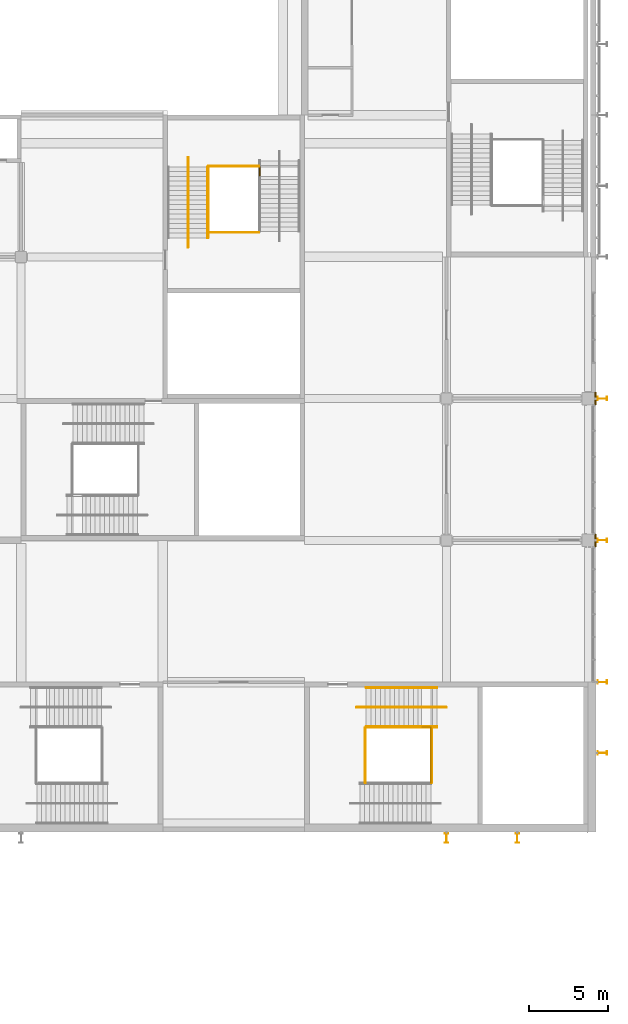
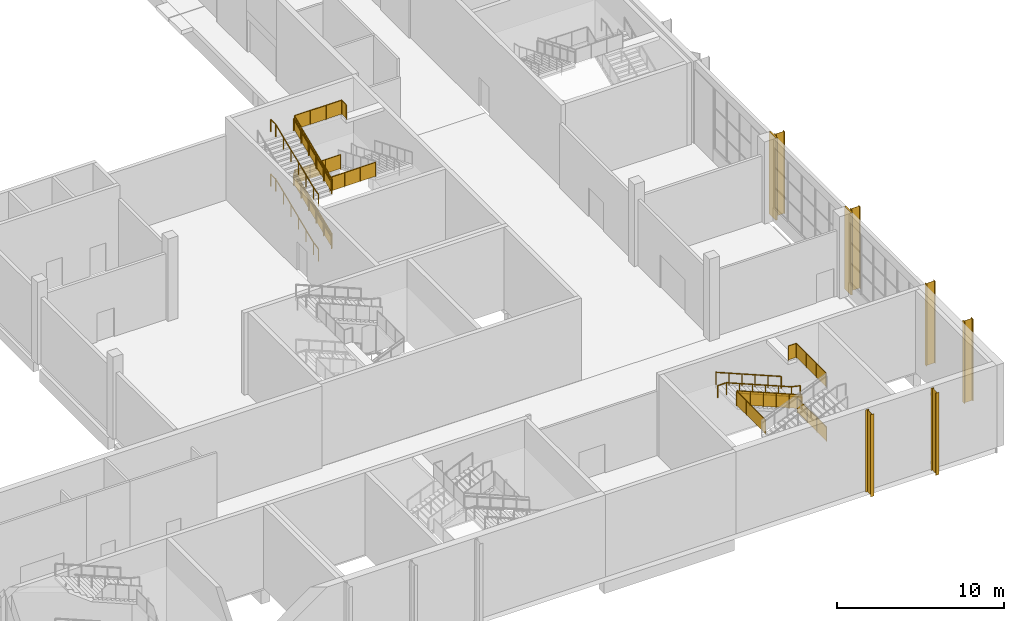
# One storey, part 80 of 89: 16 railings, 6 shading devices, 2 coverings.
"""IFC4 building model written with IfcOpenShell, lengths in metres."""

from ifc_helpers import new_model, si_unit, direction, frame, origin, origin_2d, place, context, subcontext, project, spatial, polyline, circle, i_section, outline, extrude, material, layer, layer_set, material_profile, profile_set, type_object, element, save


model = new_model("IFC4")

# Units and contexts
model_context = context("Model", 3, precision=1e-05, world=origin(), true_north=direction((0.0, 1.0)))
body_context = subcontext(model_context, "Body", "Model", "MODEL_VIEW")
ifc_project = project(units=[si_unit("LENGTHUNIT", "METRE"), si_unit("AREAUNIT", "SQUARE_METRE"), si_unit("VOLUMEUNIT", "CUBIC_METRE"), si_unit("PLANEANGLEUNIT", "RADIAN"), si_unit("MASSUNIT", "GRAM", prefix="KILO")], contexts=[model_context])

# Site, building, storey
site_placement = place(None, origin())
site = spatial("IfcSite", under=ifc_project, at=site_placement, CompositionType="ELEMENT")
building_placement = place(site_placement, origin())
building = spatial("IfcBuilding", under=site, at=building_placement, Name="Silverbay Arena", CompositionType="ELEMENT")
storey_placement = place(building_placement, frame((0.0, 0.0, 22.0)))
storey = spatial("IfcBuildingStorey", under=building, at=storey_placement, Name="L03", CompositionType="ELEMENT", Elevation=22.0)

# Coverings
ifc_material_1 = material(Name="Aluminium composite cladding", Category="aluminium")
ifc_layer = layer(ifc_material_1, 0.10009765625)
ifc_layer_set = layer_set([ifc_layer], Name="Aluminium composite cladding")
covering_type = type_object("IfcCoveringType", Name="Column cladding 100", PredefinedType="CLADDING", material=ifc_layer_set)
covering_1_placement = place(storey_placement, origin())
element("IfcCovering", 1, at=covering_1_placement, inside=storey, type_object=covering_type, Name="East column cladding L03 6", PredefinedType="CLADDING", context=body_context, shape_type="SweptSolid", body=[
    extrude(outline(polyline([(207.39990234375, 35.60009765625), (207.5, 35.60009765625), (207.5, 36.39990234375), (207.39990234375, 36.39990234375), (207.39990234375, 35.60009765625)])), origin(), (0.0, 0.0, 1.0), 6.0),
])
covering_2_placement = place(storey_placement, origin())
element("IfcCovering", 2, at=covering_2_placement, inside=storey, type_object=covering_type, Name="East column cladding L03 8", PredefinedType="CLADDING", context=body_context, shape_type="SweptSolid", body=[
    extrude(outline(polyline([(207.39990234375, 44.60009765625), (207.5, 44.60009765625), (207.5, 45.39990234375), (207.39990234375, 45.39990234375), (207.39990234375, 44.60009765625)])), origin(), (0.0, 0.0, 1.0), 6.0),
])

# Railings
ifc_material_2 = material(Name="Stainless steel", Category="steel")
railing_type_1 = type_object("IfcRailingType", Name="Stair guard 1100", PredefinedType="GUARDRAIL", material=ifc_material_2)
railing_1_placement = place(storey_placement, frame((197.39990234375, 24.125, 2.125)))
element("IfcRailing", 3, at=railing_1_placement, inside=storey, type_object=railing_type_1, Name="Stair ST-S6 L03 to L04 flight 2 guard right", PredefinedType="GUARDRAIL", context=body_context, shape_type="SweptSolid", body=[
    extrude(circle(Radius=0.02392578125, at=origin_2d()), frame((0.0, 0.0, 1.076171875), z_axis=(-0.923076923077, 0.0, 0.384615384615), x_axis=(0.0, -1.0, 0.0)), (0.0, 0.0, 1.0), 4.875),
    extrude(outline(polyline([(-0.008056640625, 0.046630859375), (0.907958984375, 0.42822265625), (0.907958984375, 1.431396484375), (-0.008056640625, 1.049560546875), (-0.008056640625, 0.046630859375)])), frame((0.0, -0.0029296875, 0.0), z_axis=(0.0, 1.0, 0.0), x_axis=(-1.0, 0.0, 0.0)), (0.0, 0.0, 1.0), 0.006103515625),
    extrude(outline(polyline([(-0.008056640625, 0.421630859375), (0.907958984375, 0.80322265625), (0.907958984375, 1.806396484375), (-0.008056640625, 1.424560546875), (-0.008056640625, 0.421630859375)])), frame((-0.89990234375, -0.0029296875, 0.0), z_axis=(0.0, 1.0, 0.0), x_axis=(-1.0, 0.0, 0.0)), (0.0, 0.0, 1.0), 0.006103515625),
    extrude(outline(polyline([(-0.008056640625, 0.796630859375), (0.907958984375, 1.17822265625), (0.907958984375, 2.181396484375), (-0.008056640625, 1.799560546875), (-0.008056640625, 0.796630859375)])), frame((-1.800048828125, -0.0029296875, 0.0), z_axis=(0.0, 1.0, 0.0), x_axis=(-1.0, 0.0, 0.0)), (0.0, 0.0, 1.0), 0.006103515625),
    extrude(outline(polyline([(-0.008056640625, 1.171630859375), (0.907958984375, 1.55322265625), (0.907958984375, 2.556396484375), (-0.008056640625, 2.174560546875), (-0.008056640625, 1.171630859375)])), frame((-2.699951171875, -0.0029296875, 0.0), z_axis=(0.0, 1.0, 0.0), x_axis=(-1.0, 0.0, 0.0)), (0.0, 0.0, 1.0), 0.006103515625),
    extrude(outline(polyline([(-0.008056640625, 1.546630859375), (0.907958984375, 1.92822265625), (0.907958984375, 2.931396484375), (-0.008056640625, 2.549560546875), (-0.008056640625, 1.546630859375)])), frame((-3.60009765625, -0.0029296875, 0.0), z_axis=(0.0, 1.0, 0.0), x_axis=(-1.0, 0.0, 0.0)), (0.0, 0.0, 1.0), 0.006103515625),
    extrude(circle(Radius=0.02099609375, at=origin_2d()), origin(), (0.0, 0.0, 1.0), 1.052001953125),
    extrude(circle(Radius=0.02099609375, at=origin_2d()), frame((-0.89990234375, 0.0, 0.375)), (0.0, 0.0, 1.0), 1.052001953125),
    extrude(circle(Radius=0.02099609375, at=origin_2d()), frame((-1.800048828125, 0.0, 0.75)), (0.0, 0.0, 1.0), 1.052001953125),
    extrude(circle(Radius=0.02099609375, at=origin_2d()), frame((-2.699951171875, 0.0, 1.125)), (0.0, 0.0, 1.0), 1.052001953125),
    extrude(circle(Radius=0.02099609375, at=origin_2d()), frame((-3.60009765625, 0.0, 1.5)), (0.0, 0.0, 1.0), 1.052001953125),
    extrude(circle(Radius=0.02099609375, at=origin_2d()), frame((-4.5, 0.0, 1.875)), (0.0, 0.0, 1.0), 1.052001953125),
])
for number, where, name in (
    (4, (197.06005859375, 24.10009765625, 2.0), "Stair ST-S6 L03 to L04 landing 1 guard"),
    (5, (192.85009765625, 24.10009765625, 4.0), "Stair ST-S6 L03 to L04 landing 2 guard"),
):
    element("IfcRailing", number, at=place(storey_placement, frame(where)), inside=storey, type_object=railing_type_1, Name=name, PredefinedType="GUARDRAIL", context=body_context, shape_type="SweptSolid", body=[
        extrude(circle(Radius=0.02392578125, at=origin_2d()), frame((0.0, 0.0, 1.076171875), z_axis=(0.0, -1.0, 0.0), x_axis=(1.0, 0.0, 0.0)), (0.0, 0.0, 1.0), 3.5),
        extrude(outline(polyline([(-0.008056640625, 0.050048828125), (1.174560546875, 0.050048828125), (1.174560546875, 1.052978515625), (-0.008056640625, 1.052978515625), (-0.008056640625, 0.050048828125)])), frame((0.0029296875, 0.0, 0.0), z_axis=(-1.0, 0.0, 0.0), x_axis=(0.0, -1.0, 0.0)), (0.0, 0.0, 1.0), 0.006103515625),
        extrude(outline(polyline([(-0.008056640625, 0.050048828125), (1.174560546875, 0.050048828125), (1.174560546875, 1.052978515625), (-0.008056640625, 1.052978515625), (-0.008056640625, 0.050048828125)])), frame((0.0029296875, -1.166748046875, 0.0), z_axis=(-1.0, 0.0, 0.0), x_axis=(0.0, -1.0, 0.0)), (0.0, 0.0, 1.0), 0.006103515625),
        extrude(outline(polyline([(-0.008056640625, 0.050048828125), (1.174560546875, 0.050048828125), (1.174560546875, 1.052978515625), (-0.008056640625, 1.052978515625), (-0.008056640625, 0.050048828125)])), frame((0.0029296875, -2.333251953125, 0.0), z_axis=(-1.0, 0.0, 0.0), x_axis=(0.0, -1.0, 0.0)), (0.0, 0.0, 1.0), 0.006103515625),
        extrude(circle(Radius=0.02099609375, at=origin_2d()), origin(), (0.0, 0.0, 1.0), 1.052001953125),
        extrude(circle(Radius=0.02099609375, at=origin_2d()), frame((0.0, -1.166748046875, 0.0)), (0.0, 0.0, 1.0), 1.052001953125),
        extrude(circle(Radius=0.02099609375, at=origin_2d()), frame((0.0, -2.333251953125, 0.0)), (0.0, 0.0, 1.0), 1.052001953125),
        extrude(circle(Radius=0.02099609375, at=origin_2d()), frame((0.0, -3.5, 0.0)), (0.0, 0.0, 1.0), 1.052001953125),
    ])
railing_2_placement = place(storey_placement, frame((196.449951171875, 24.14990234375, 6.0)))
element("IfcRailing", 6, at=railing_2_placement, inside=storey, type_object=railing_type_1, Name="Stair ST-S6 L03 to L04 landing 3 guard", PredefinedType="GUARDRAIL", context=body_context, shape_type="SweptSolid", body=[
    extrude(circle(Radius=0.02392578125, at=origin_2d()), frame((0.0, 0.0, 1.076171875), z_axis=(1.0, 0.0, 0.0), x_axis=(0.0, 1.0, 0.0)), (0.0, 0.0, 1.0), 0.56005859375),
    extrude(outline(polyline([(-0.008056640625, 0.050048828125), (0.568115234375, 0.050048828125), (0.568115234375, 1.052978515625), (-0.008056640625, 1.052978515625), (-0.008056640625, 0.050048828125)])), frame((0.0, 0.0029296875, 0.0), z_axis=(0.0, -1.0, 0.0), x_axis=(1.0, 0.0, 0.0)), (0.0, 0.0, 1.0), 0.006103515625),
    extrude(circle(Radius=0.02392578125, at=origin_2d()), frame((0.56005859375, 0.0, 1.076171875), z_axis=(0.0, -1.0, 0.0), x_axis=(1.0, 0.0, 0.0)), (0.0, 0.0, 1.0), 3.5498046875),
    extrude(outline(polyline([(-0.008056640625, 0.050048828125), (1.191162109375, 0.050048828125), (1.191162109375, 1.052978515625), (-0.008056640625, 1.052978515625), (-0.008056640625, 0.050048828125)])), frame((0.56298828125, 0.0, 0.0), z_axis=(-1.0, 0.0, 0.0), x_axis=(0.0, -1.0, 0.0)), (0.0, 0.0, 1.0), 0.006103515625),
    extrude(outline(polyline([(-0.008056640625, 0.050048828125), (1.191162109375, 0.050048828125), (1.191162109375, 1.052978515625), (-0.008056640625, 1.052978515625), (-0.008056640625, 0.050048828125)])), frame((0.56298828125, -1.183349609375, 0.0), z_axis=(-1.0, 0.0, 0.0), x_axis=(0.0, -1.0, 0.0)), (0.0, 0.0, 1.0), 0.006103515625),
    extrude(outline(polyline([(-0.008056640625, 0.050048828125), (1.191162109375, 0.050048828125), (1.191162109375, 1.052978515625), (-0.008056640625, 1.052978515625), (-0.008056640625, 0.050048828125)])), frame((0.56298828125, -2.366455078125, 0.0), z_axis=(-1.0, 0.0, 0.0), x_axis=(0.0, -1.0, 0.0)), (0.0, 0.0, 1.0), 0.006103515625),
    extrude(circle(Radius=0.02099609375, at=origin_2d()), origin(), (0.0, 0.0, 1.0), 1.052001953125),
    extrude(circle(Radius=0.02099609375, at=origin_2d()), frame((0.56005859375, 0.0, 0.0)), (0.0, 0.0, 1.0), 1.052001953125),
    extrude(circle(Radius=0.02099609375, at=origin_2d()), frame((0.56005859375, -1.183349609375, 0.0)), (0.0, 0.0, 1.0), 1.052001953125),
    extrude(circle(Radius=0.02099609375, at=origin_2d()), frame((0.56005859375, -2.366455078125, 0.0)), (0.0, 0.0, 1.0), 1.052001953125),
    extrude(circle(Radius=0.02099609375, at=origin_2d()), frame((0.56005859375, -3.5498046875, 0.0)), (0.0, 0.0, 1.0), 1.052001953125),
])
railing_3_placement = place(storey_placement, frame((182.875, 55.2099609375, 0.125)))
element("IfcRailing", 7, at=railing_3_placement, inside=storey, type_object=railing_type_1, Name="Stair ST-SE2 L03 to L04 flight 1 guard right", PredefinedType="GUARDRAIL", context=body_context, shape_type="SweptSolid", body=[
    extrude(circle(Radius=0.02392578125, at=origin_2d()), frame((0.0, 0.0, 1.076171875), z_axis=(0.0, 0.923076923077, 0.384615384615), x_axis=(-1.0, 0.0, 0.0)), (0.0, 0.0, 1.0), 4.875),
    extrude(outline(polyline([(-0.008056640625, 0.046630859375), (0.907958984375, 0.42822265625), (0.907958984375, 1.431396484375), (-0.008056640625, 1.049560546875), (-0.008056640625, 0.046630859375)])), frame((-0.0029296875, 0.0, 0.0), z_axis=(1.0, 0.0, 0.0), x_axis=(0.0, 1.0, 0.0)), (0.0, 0.0, 1.0), 0.006103515625),
    extrude(outline(polyline([(-0.008056640625, 0.421630859375), (0.907958984375, 0.80322265625), (0.907958984375, 1.806396484375), (-0.008056640625, 1.424560546875), (-0.008056640625, 0.421630859375)])), frame((-0.0029296875, 0.89990234375, 0.0), z_axis=(1.0, 0.0, 0.0), x_axis=(0.0, 1.0, 0.0)), (0.0, 0.0, 1.0), 0.006103515625),
    extrude(outline(polyline([(-0.008056640625, 0.796630859375), (0.907958984375, 1.17822265625), (0.907958984375, 2.181396484375), (-0.008056640625, 1.799560546875), (-0.008056640625, 0.796630859375)])), frame((-0.0029296875, 1.800048828125, 0.0), z_axis=(1.0, 0.0, 0.0), x_axis=(0.0, 1.0, 0.0)), (0.0, 0.0, 1.0), 0.006103515625),
    extrude(outline(polyline([(-0.008056640625, 1.171630859375), (0.907958984375, 1.55322265625), (0.907958984375, 2.556396484375), (-0.008056640625, 2.174560546875), (-0.008056640625, 1.171630859375)])), frame((-0.0029296875, 2.699951171875, 0.0), z_axis=(1.0, 0.0, 0.0), x_axis=(0.0, 1.0, 0.0)), (0.0, 0.0, 1.0), 0.006103515625),
    extrude(outline(polyline([(-0.008056640625, 1.546630859375), (0.907958984375, 1.92822265625), (0.907958984375, 2.931396484375), (-0.008056640625, 2.549560546875), (-0.008056640625, 1.546630859375)])), frame((-0.0029296875, 3.60009765625, 0.0), z_axis=(1.0, 0.0, 0.0), x_axis=(0.0, 1.0, 0.0)), (0.0, 0.0, 1.0), 0.006103515625),
    extrude(circle(Radius=0.02099609375, at=origin_2d()), origin(), (0.0, 0.0, 1.0), 1.052001953125),
    extrude(circle(Radius=0.02099609375, at=origin_2d()), frame((0.0, 0.89990234375, 0.375)), (0.0, 0.0, 1.0), 1.052001953125),
    extrude(circle(Radius=0.02099609375, at=origin_2d()), frame((0.0, 1.800048828125, 0.75)), (0.0, 0.0, 1.0), 1.052001953125),
    extrude(circle(Radius=0.02099609375, at=origin_2d()), frame((0.0, 2.699951171875, 1.125)), (0.0, 0.0, 1.0), 1.052001953125),
    extrude(circle(Radius=0.02099609375, at=origin_2d()), frame((0.0, 3.60009765625, 1.5)), (0.0, 0.0, 1.0), 1.052001953125),
    extrude(circle(Radius=0.02099609375, at=origin_2d()), frame((0.0, 4.5, 1.875)), (0.0, 0.0, 1.0), 1.052001953125),
])
railing_4_placement = place(storey_placement, frame((182.875, 55.2099609375, 4.125)))
element("IfcRailing", 8, at=railing_4_placement, inside=storey, type_object=railing_type_1, Name="Stair ST-SE2 L03 to L04 flight 3 guard right", PredefinedType="GUARDRAIL", context=body_context, shape_type="SweptSolid", body=[
    extrude(circle(Radius=0.02392578125, at=origin_2d()), frame((0.0, 0.0, 1.076171875), z_axis=(0.0, 0.923076923077, 0.384615384615), x_axis=(-1.0, 0.0, 0.0)), (0.0, 0.0, 1.0), 4.875),
    extrude(outline(polyline([(-0.008056640625, 0.046630859375), (0.907958984375, 0.42822265625), (0.907958984375, 1.431396484375), (-0.008056640625, 1.049560546875), (-0.008056640625, 0.046630859375)])), frame((-0.0029296875, 0.0, 0.0), z_axis=(1.0, 0.0, 0.0), x_axis=(0.0, 1.0, 0.0)), (0.0, 0.0, 1.0), 0.006103515625),
    extrude(outline(polyline([(-0.008056640625, 0.421630859375), (0.907958984375, 0.80322265625), (0.907958984375, 1.806396484375), (-0.008056640625, 1.424560546875), (-0.008056640625, 0.421630859375)])), frame((-0.0029296875, 0.89990234375, 0.0), z_axis=(1.0, 0.0, 0.0), x_axis=(0.0, 1.0, 0.0)), (0.0, 0.0, 1.0), 0.006103515625),
    extrude(outline(polyline([(-0.008056640625, 0.796630859375), (0.907958984375, 1.17822265625), (0.907958984375, 2.181396484375), (-0.008056640625, 1.799560546875), (-0.008056640625, 0.796630859375)])), frame((-0.0029296875, 1.800048828125, 0.0), z_axis=(1.0, 0.0, 0.0), x_axis=(0.0, 1.0, 0.0)), (0.0, 0.0, 1.0), 0.006103515625),
    extrude(outline(polyline([(-0.008056640625, 1.171630859375), (0.907958984375, 1.55322265625), (0.907958984375, 2.556396484375), (-0.008056640625, 2.174560546875), (-0.008056640625, 1.171630859375)])), frame((-0.0029296875, 2.699951171875, 0.0), z_axis=(1.0, 0.0, 0.0), x_axis=(0.0, 1.0, 0.0)), (0.0, 0.0, 1.0), 0.006103515625),
    extrude(outline(polyline([(-0.008056640625, 1.546630859375), (0.907958984375, 1.92822265625), (0.907958984375, 2.931396484375), (-0.008056640625, 2.549560546875), (-0.008056640625, 1.546630859375)])), frame((-0.0029296875, 3.60009765625, 0.0), z_axis=(1.0, 0.0, 0.0), x_axis=(0.0, 1.0, 0.0)), (0.0, 0.0, 1.0), 0.006103515625),
    extrude(circle(Radius=0.02099609375, at=origin_2d()), origin(), (0.0, 0.0, 1.0), 1.052001953125),
    extrude(circle(Radius=0.02099609375, at=origin_2d()), frame((0.0, 0.89990234375, 0.375)), (0.0, 0.0, 1.0), 1.052001953125),
    extrude(circle(Radius=0.02099609375, at=origin_2d()), frame((0.0, 1.800048828125, 0.75)), (0.0, 0.0, 1.0), 1.052001953125),
    extrude(circle(Radius=0.02099609375, at=origin_2d()), frame((0.0, 2.699951171875, 1.125)), (0.0, 0.0, 1.0), 1.052001953125),
    extrude(circle(Radius=0.02099609375, at=origin_2d()), frame((0.0, 3.60009765625, 1.5)), (0.0, 0.0, 1.0), 1.052001953125),
    extrude(circle(Radius=0.02099609375, at=origin_2d()), frame((0.0, 4.5, 1.875)), (0.0, 0.0, 1.0), 1.052001953125),
])
for number, where, name in (
    (9, (182.89990234375, 59.760009765625, 2.0), "Stair ST-SE2 L03 to L04 landing 1 guard"),
    (10, (182.89990234375, 55.550048828125, 4.0), "Stair ST-SE2 L03 to L04 landing 2 guard"),
):
    element("IfcRailing", number, at=place(storey_placement, frame(where)), inside=storey, type_object=railing_type_1, Name=name, PredefinedType="GUARDRAIL", context=body_context, shape_type="SweptSolid", body=[
        extrude(circle(Radius=0.02392578125, at=origin_2d()), frame((0.0, 0.0, 1.076171875), z_axis=(1.0, 0.0, 0.0), x_axis=(0.0, 1.0, 0.0)), (0.0, 0.0, 1.0), 3.2001953125),
        extrude(outline(polyline([(-0.008056640625, 0.050048828125), (1.07470703125, 0.050048828125), (1.07470703125, 1.052978515625), (-0.008056640625, 1.052978515625), (-0.008056640625, 0.050048828125)])), frame((0.0, 0.0029296875, 0.0), z_axis=(0.0, -1.0, 0.0), x_axis=(1.0, 0.0, 0.0)), (0.0, 0.0, 1.0), 0.006103515625),
        extrude(outline(polyline([(-0.008056640625, 0.050048828125), (1.07470703125, 0.050048828125), (1.07470703125, 1.052978515625), (-0.008056640625, 1.052978515625), (-0.008056640625, 0.050048828125)])), frame((1.066650390625, 0.0029296875, 0.0), z_axis=(0.0, -1.0, 0.0), x_axis=(1.0, 0.0, 0.0)), (0.0, 0.0, 1.0), 0.006103515625),
        extrude(outline(polyline([(-0.008056640625, 0.050048828125), (1.07470703125, 0.050048828125), (1.07470703125, 1.052978515625), (-0.008056640625, 1.052978515625), (-0.008056640625, 0.050048828125)])), frame((2.133544921875, 0.0029296875, 0.0), z_axis=(0.0, -1.0, 0.0), x_axis=(1.0, 0.0, 0.0)), (0.0, 0.0, 1.0), 0.006103515625),
        extrude(circle(Radius=0.02099609375, at=origin_2d()), origin(), (0.0, 0.0, 1.0), 1.052001953125),
        extrude(circle(Radius=0.02099609375, at=origin_2d()), frame((1.066650390625, 0.0, 0.0)), (0.0, 0.0, 1.0), 1.052001953125),
        extrude(circle(Radius=0.02099609375, at=origin_2d()), frame((2.133544921875, 0.0, 0.0)), (0.0, 0.0, 1.0), 1.052001953125),
        extrude(circle(Radius=0.02099609375, at=origin_2d()), frame((3.2001953125, 0.0, 0.0)), (0.0, 0.0, 1.0), 1.052001953125),
    ])
railing_5_placement = place(storey_placement, frame((186.14990234375, 59.14990234375, 6.0)))
element("IfcRailing", 11, at=railing_5_placement, inside=storey, type_object=railing_type_1, Name="Stair ST-SE2 L03 to L04 landing 3 guard", PredefinedType="GUARDRAIL", context=body_context, shape_type="SweptSolid", body=[
    extrude(circle(Radius=0.02392578125, at=origin_2d()), frame((0.0, 0.0, 1.076171875), z_axis=(0.0, 1.0, 0.0), x_axis=(-1.0, 0.0, 0.0)), (0.0, 0.0, 1.0), 0.56005859375),
    extrude(outline(polyline([(-0.008056640625, 0.050048828125), (0.568115234375, 0.050048828125), (0.568115234375, 1.052978515625), (-0.008056640625, 1.052978515625), (-0.008056640625, 0.050048828125)])), frame((-0.0029296875, 0.0, 0.0), z_axis=(1.0, 0.0, 0.0), x_axis=(0.0, 1.0, 0.0)), (0.0, 0.0, 1.0), 0.006103515625),
    extrude(circle(Radius=0.02392578125, at=origin_2d()), frame((0.0, 0.56005859375, 1.076171875), z_axis=(-1.0, 0.0, 0.0), x_axis=(0.0, -1.0, 0.0)), (0.0, 0.0, 1.0), 3.25),
    extrude(outline(polyline([(-0.008056640625, 0.050048828125), (1.09130859375, 0.050048828125), (1.09130859375, 1.052978515625), (-0.008056640625, 1.052978515625), (-0.008056640625, 0.050048828125)])), frame((0.0, 0.55712890625, 0.0), z_axis=(0.0, 1.0, 0.0), x_axis=(-1.0, 0.0, 0.0)), (0.0, 0.0, 1.0), 0.006103515625),
    extrude(outline(polyline([(-0.008056640625, 0.050048828125), (1.09130859375, 0.050048828125), (1.09130859375, 1.052978515625), (-0.008056640625, 1.052978515625), (-0.008056640625, 0.050048828125)])), frame((-1.083251953125, 0.55712890625, 0.0), z_axis=(0.0, 1.0, 0.0), x_axis=(-1.0, 0.0, 0.0)), (0.0, 0.0, 1.0), 0.006103515625),
    extrude(outline(polyline([(-0.008056640625, 0.050048828125), (1.09130859375, 0.050048828125), (1.09130859375, 1.052978515625), (-0.008056640625, 1.052978515625), (-0.008056640625, 0.050048828125)])), frame((-2.166748046875, 0.55712890625, 0.0), z_axis=(0.0, 1.0, 0.0), x_axis=(-1.0, 0.0, 0.0)), (0.0, 0.0, 1.0), 0.006103515625),
    extrude(circle(Radius=0.02099609375, at=origin_2d()), origin(), (0.0, 0.0, 1.0), 1.052001953125),
    extrude(circle(Radius=0.02099609375, at=origin_2d()), frame((0.0, 0.56005859375, 0.0)), (0.0, 0.0, 1.0), 1.052001953125),
    extrude(circle(Radius=0.02099609375, at=origin_2d()), frame((-1.083251953125, 0.56005859375, 0.0)), (0.0, 0.0, 1.0), 1.052001953125),
    extrude(circle(Radius=0.02099609375, at=origin_2d()), frame((-2.166748046875, 0.56005859375, 0.0)), (0.0, 0.0, 1.0), 1.052001953125),
    extrude(circle(Radius=0.02099609375, at=origin_2d()), frame((-3.25, 0.56005859375, 0.0)), (0.0, 0.0, 1.0), 1.052001953125),
])
ifc_material_3 = material(Name="Stainless steel", Category="steel")
railing_type_2 = type_object("IfcRailingType", Name="Stair handrail 900", PredefinedType="HANDRAIL", material=ifc_material_3)
for number, where, name in (
    (12, (197.39990234375, 26.64990234375, 2.125), "Stair ST-S6 L03 to L04 flight 2 handrail left"),
    (13, (197.39990234375, 24.1640625, 2.125), "Stair ST-S6 L03 to L04 flight 2 handrail right"),
):
    element("IfcRailing", number, at=place(storey_placement, frame(where)), inside=storey, type_object=railing_type_2, Name=name, PredefinedType="HANDRAIL", context=body_context, shape_type="SweptSolid", body=[
        extrude(circle(Radius=0.02392578125, at=origin_2d()), frame((0.0, 0.0, 0.8759765625), z_axis=(-0.923076923077, 0.0, 0.384615384615), x_axis=(0.0, -1.0, 0.0)), (0.0, 0.0, 1.0), 4.875),
        extrude(circle(Radius=0.02099609375, at=origin_2d()), origin(), (0.0, 0.0, 1.0), 0.851806640625),
        extrude(circle(Radius=0.02099609375, at=origin_2d()), frame((-0.89990234375, 0.0, 0.375)), (0.0, 0.0, 1.0), 0.851806640625),
        extrude(circle(Radius=0.02099609375, at=origin_2d()), frame((-1.800048828125, 0.0, 0.75)), (0.0, 0.0, 1.0), 0.851806640625),
        extrude(circle(Radius=0.02099609375, at=origin_2d()), frame((-2.699951171875, 0.0, 1.125)), (0.0, 0.0, 1.0), 0.851806640625),
        extrude(circle(Radius=0.02099609375, at=origin_2d()), frame((-3.60009765625, 0.0, 1.5)), (0.0, 0.0, 1.0), 0.851806640625),
        extrude(circle(Radius=0.02099609375, at=origin_2d()), frame((-4.5, 0.0, 1.875)), (0.0, 0.0, 1.0), 0.851806640625),
    ])
railing_6_placement = place(storey_placement, frame((198.0, 25.39990234375, 2.0)))
element("IfcRailing", 14, at=railing_6_placement, inside=storey, type_object=railing_type_2, Name="Stair ST-S6 L03 to L04 flight 2 central handrail", PredefinedType="HANDRAIL", context=body_context, shape_type="SweptSolid", body=[
    extrude(circle(Radius=0.02392578125, at=origin_2d()), frame((0.0, 0.0, 0.8759765625), z_axis=(-0.978987046276, 0.0, 0.203922444139), x_axis=(0.0, -1.0, 0.0)), (0.0, 0.0, 1.0), 0.613037109375),
    extrude(circle(Radius=0.02392578125, at=origin_2d()), frame((-0.60009765625, 0.0, 1.0009765625), z_axis=(-0.923076923077, 0.0, 0.384615384615), x_axis=(0.0, -1.0, 0.0)), (0.0, 0.0, 1.0), 4.875),
    extrude(circle(Radius=0.02392578125, at=origin_2d()), frame((-5.10009765625, 0.0, 2.8759765625), z_axis=(-1.0, 0.0, 0.0), x_axis=(0.0, -1.0, 0.0)), (0.0, 0.0, 1.0), 0.599853515625),
    extrude(circle(Radius=0.02099609375, at=origin_2d()), origin(), (0.0, 0.0, 1.0), 0.851806640625),
    extrude(circle(Radius=0.02099609375, at=origin_2d()), frame((-0.60009765625, 0.0, 0.125)), (0.0, 0.0, 1.0), 0.851806640625),
    extrude(circle(Radius=0.02099609375, at=origin_2d()), frame((-1.5, 0.0, 0.5)), (0.0, 0.0, 1.0), 0.851806640625),
    extrude(circle(Radius=0.02099609375, at=origin_2d()), frame((-2.400146484375, 0.0, 0.875)), (0.0, 0.0, 1.0), 0.851806640625),
    extrude(circle(Radius=0.02099609375, at=origin_2d()), frame((-3.300048828125, 0.0, 1.25)), (0.0, 0.0, 1.0), 0.851806640625),
    extrude(circle(Radius=0.02099609375, at=origin_2d()), frame((-4.2001953125, 0.0, 1.625)), (0.0, 0.0, 1.0), 0.851806640625),
    extrude(circle(Radius=0.02099609375, at=origin_2d()), frame((-5.10009765625, 0.0, 2.0)), (0.0, 0.0, 1.0), 0.851806640625),
    extrude(circle(Radius=0.02099609375, at=origin_2d()), frame((-5.699951171875, 0.0, 2.0)), (0.0, 0.0, 1.0), 0.851806640625),
])
railing_7_placement = place(storey_placement, frame((182.8359375, 55.2099609375, 0.125)))
element("IfcRailing", 15, at=railing_7_placement, inside=storey, type_object=railing_type_2, Name="Stair ST-SE2 L03 to L04 flight 1 handrail right", PredefinedType="HANDRAIL", context=body_context, shape_type="SweptSolid", body=[
    extrude(circle(Radius=0.02392578125, at=origin_2d()), frame((0.0, 0.0, 0.8759765625), z_axis=(0.0, 0.923076923077, 0.384615384615), x_axis=(-1.0, 0.0, 0.0)), (0.0, 0.0, 1.0), 4.875),
    extrude(circle(Radius=0.02099609375, at=origin_2d()), origin(), (0.0, 0.0, 1.0), 0.851806640625),
    extrude(circle(Radius=0.02099609375, at=origin_2d()), frame((0.0, 0.89990234375, 0.375)), (0.0, 0.0, 1.0), 0.851806640625),
    extrude(circle(Radius=0.02099609375, at=origin_2d()), frame((0.0, 1.800048828125, 0.75)), (0.0, 0.0, 1.0), 0.851806640625),
    extrude(circle(Radius=0.02099609375, at=origin_2d()), frame((0.0, 2.699951171875, 1.125)), (0.0, 0.0, 1.0), 0.851806640625),
    extrude(circle(Radius=0.02099609375, at=origin_2d()), frame((0.0, 3.60009765625, 1.5)), (0.0, 0.0, 1.0), 0.851806640625),
    extrude(circle(Radius=0.02099609375, at=origin_2d()), frame((0.0, 4.5, 1.875)), (0.0, 0.0, 1.0), 0.851806640625),
])
railing_8_placement = place(storey_placement, frame((181.60009765625, 54.610107421875, 0.0)))
element("IfcRailing", 16, at=railing_8_placement, inside=storey, type_object=railing_type_2, Name="Stair ST-SE2 L03 to L04 flight 1 central handrail", PredefinedType="HANDRAIL", context=body_context, shape_type="SweptSolid", body=[
    extrude(circle(Radius=0.02392578125, at=origin_2d()), frame((0.0, 0.0, 0.8759765625), z_axis=(0.0, 0.978970474113, 0.20400198728), x_axis=(-1.0, 0.0, 0.0)), (0.0, 0.0, 1.0), 0.61279296875),
    extrude(circle(Radius=0.02392578125, at=origin_2d()), frame((0.0, 0.599853515625, 1.0009765625), z_axis=(0.0, 0.923076923077, 0.384615384615), x_axis=(-1.0, 0.0, 0.0)), (0.0, 0.0, 1.0), 4.875),
    extrude(circle(Radius=0.02392578125, at=origin_2d()), frame((0.0, 5.099853515625, 2.8759765625), z_axis=(0.0, 1.0, 0.0), x_axis=(-1.0, 0.0, 0.0)), (0.0, 0.0, 1.0), 0.60009765625),
    extrude(circle(Radius=0.02099609375, at=origin_2d()), origin(), (0.0, 0.0, 1.0), 0.851806640625),
    extrude(circle(Radius=0.02099609375, at=origin_2d()), frame((0.0, 0.599853515625, 0.125)), (0.0, 0.0, 1.0), 0.851806640625),
    extrude(circle(Radius=0.02099609375, at=origin_2d()), frame((0.0, 1.499755859375, 0.5)), (0.0, 0.0, 1.0), 0.851806640625),
    extrude(circle(Radius=0.02099609375, at=origin_2d()), frame((0.0, 2.39990234375, 0.875)), (0.0, 0.0, 1.0), 0.851806640625),
    extrude(circle(Radius=0.02099609375, at=origin_2d()), frame((0.0, 3.2998046875, 1.25)), (0.0, 0.0, 1.0), 0.851806640625),
    extrude(circle(Radius=0.02099609375, at=origin_2d()), frame((0.0, 4.199951171875, 1.625)), (0.0, 0.0, 1.0), 0.851806640625),
    extrude(circle(Radius=0.02099609375, at=origin_2d()), frame((0.0, 5.099853515625, 2.0)), (0.0, 0.0, 1.0), 0.851806640625),
    extrude(circle(Radius=0.02099609375, at=origin_2d()), frame((0.0, 5.699951171875, 2.0)), (0.0, 0.0, 1.0), 0.851806640625),
])
railing_9_placement = place(storey_placement, frame((182.8359375, 55.2099609375, 4.125)))
element("IfcRailing", 17, at=railing_9_placement, inside=storey, type_object=railing_type_2, Name="Stair ST-SE2 L03 to L04 flight 3 handrail right", PredefinedType="HANDRAIL", context=body_context, shape_type="SweptSolid", body=[
    extrude(circle(Radius=0.02392578125, at=origin_2d()), frame((0.0, 0.0, 0.8759765625), z_axis=(0.0, 0.923076923077, 0.384615384615), x_axis=(-1.0, 0.0, 0.0)), (0.0, 0.0, 1.0), 4.875),
    extrude(circle(Radius=0.02099609375, at=origin_2d()), origin(), (0.0, 0.0, 1.0), 0.851806640625),
    extrude(circle(Radius=0.02099609375, at=origin_2d()), frame((0.0, 0.89990234375, 0.375)), (0.0, 0.0, 1.0), 0.851806640625),
    extrude(circle(Radius=0.02099609375, at=origin_2d()), frame((0.0, 1.800048828125, 0.75)), (0.0, 0.0, 1.0), 0.851806640625),
    extrude(circle(Radius=0.02099609375, at=origin_2d()), frame((0.0, 2.699951171875, 1.125)), (0.0, 0.0, 1.0), 0.851806640625),
    extrude(circle(Radius=0.02099609375, at=origin_2d()), frame((0.0, 3.60009765625, 1.5)), (0.0, 0.0, 1.0), 0.851806640625),
    extrude(circle(Radius=0.02099609375, at=origin_2d()), frame((0.0, 4.5, 1.875)), (0.0, 0.0, 1.0), 0.851806640625),
])
railing_10_placement = place(storey_placement, frame((181.60009765625, 54.610107421875, 4.0)))
element("IfcRailing", 18, at=railing_10_placement, inside=storey, type_object=railing_type_2, Name="Stair ST-SE2 L03 to L04 flight 3 central handrail", PredefinedType="HANDRAIL", context=body_context, shape_type="SweptSolid", body=[
    extrude(circle(Radius=0.02392578125, at=origin_2d()), frame((0.0, 0.0, 0.8759765625), z_axis=(0.0, 0.978970474113, 0.20400198728), x_axis=(-1.0, 0.0, 0.0)), (0.0, 0.0, 1.0), 0.61279296875),
    extrude(circle(Radius=0.02392578125, at=origin_2d()), frame((0.0, 0.599853515625, 1.0009765625), z_axis=(0.0, 0.923076923077, 0.384615384615), x_axis=(-1.0, 0.0, 0.0)), (0.0, 0.0, 1.0), 4.875),
    extrude(circle(Radius=0.02392578125, at=origin_2d()), frame((0.0, 5.099853515625, 2.8759765625), z_axis=(0.0, 1.0, 0.0), x_axis=(-1.0, 0.0, 0.0)), (0.0, 0.0, 1.0), 0.60009765625),
    extrude(circle(Radius=0.02099609375, at=origin_2d()), origin(), (0.0, 0.0, 1.0), 0.851806640625),
    extrude(circle(Radius=0.02099609375, at=origin_2d()), frame((0.0, 0.599853515625, 0.125)), (0.0, 0.0, 1.0), 0.851806640625),
    extrude(circle(Radius=0.02099609375, at=origin_2d()), frame((0.0, 1.499755859375, 0.5)), (0.0, 0.0, 1.0), 0.851806640625),
    extrude(circle(Radius=0.02099609375, at=origin_2d()), frame((0.0, 2.39990234375, 0.875)), (0.0, 0.0, 1.0), 0.851806640625),
    extrude(circle(Radius=0.02099609375, at=origin_2d()), frame((0.0, 3.2998046875, 1.25)), (0.0, 0.0, 1.0), 0.851806640625),
    extrude(circle(Radius=0.02099609375, at=origin_2d()), frame((0.0, 4.199951171875, 1.625)), (0.0, 0.0, 1.0), 0.851806640625),
    extrude(circle(Radius=0.02099609375, at=origin_2d()), frame((0.0, 5.099853515625, 2.0)), (0.0, 0.0, 1.0), 0.851806640625),
    extrude(circle(Radius=0.02099609375, at=origin_2d()), frame((0.0, 5.699951171875, 2.0)), (0.0, 0.0, 1.0), 0.851806640625),
])

# Shading devices
ifc_material_4 = material(Name="Steel S355", Category="steel")
ifc_material_profile = material_profile(ifc_material_4, i_section(OverallWidth=0.2275390625, OverallDepth=0.6025390625, WebThickness=0.010498046875, FlangeThickness=0.014892578125, at=origin_2d()), Name="UB 610x229x101")
ifc_profile_set = profile_set([ifc_material_profile], Name="Steel S355")
shading_device_type = type_object("IfcShadingDeviceType", Name="Steel fin UB 610x229x101", PredefinedType="USERDEFINED", material=ifc_profile_set)
for number, where, z_axis, x_axis, name in (
    (19, (198.0, 17.0986328125, 0.0), (0.0, 0.0, 1.0), (1.0, 0.0, 0.0), "Steel fin S L03 32"),
    (20, (202.5, 17.0986328125, 0.0), (0.0, 0.0, 1.0), (1.0, 0.0, 0.0), "Steel fin S L03 33"),
    (21, (207.9013671875, 22.5, 0.0), (0.0, 0.0, 1.0), (0.0, 1.0, 0.0), "Steel fin E L03 1"),
    (22, (207.9013671875, 27.0, 0.0), (0.0, 0.0, 1.0), (0.0, 1.0, 0.0), "Steel fin E L03 2"),
    (23, (207.9013671875, 36.0, 0.0), (0.0, 0.0, 1.0), (0.0, 1.0, 0.0), "Steel fin E L03 4"),
    (24, (207.9013671875, 45.0, 0.0), (0.0, 0.0, 1.0), (0.0, 1.0, 0.0), "Steel fin E L03 6"),
):
    element("IfcShadingDevice", number, at=place(storey_placement, frame(where, z_axis=z_axis, x_axis=x_axis)), inside=storey, type_object=shading_device_type, Name=name, ObjectType="FIN", PredefinedType="USERDEFINED", context=body_context, shape_type="SweptSolid", body=[
        extrude(i_section(OverallWidth=0.2275390625, OverallDepth=0.6025390625, WebThickness=0.010498046875, FlangeThickness=0.014892578125, at=origin_2d()), origin(), (0.0, 0.0, 1.0), 6.0),
    ])

save(model, "model.ifc")
